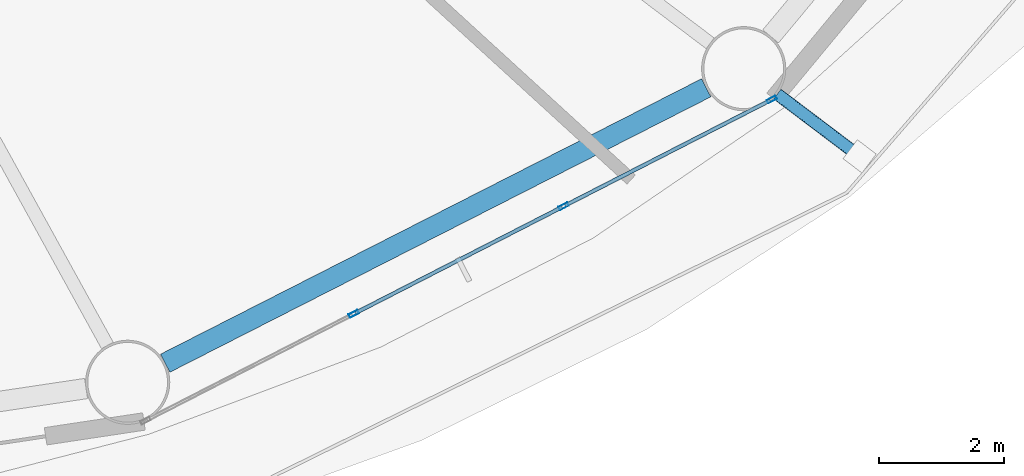
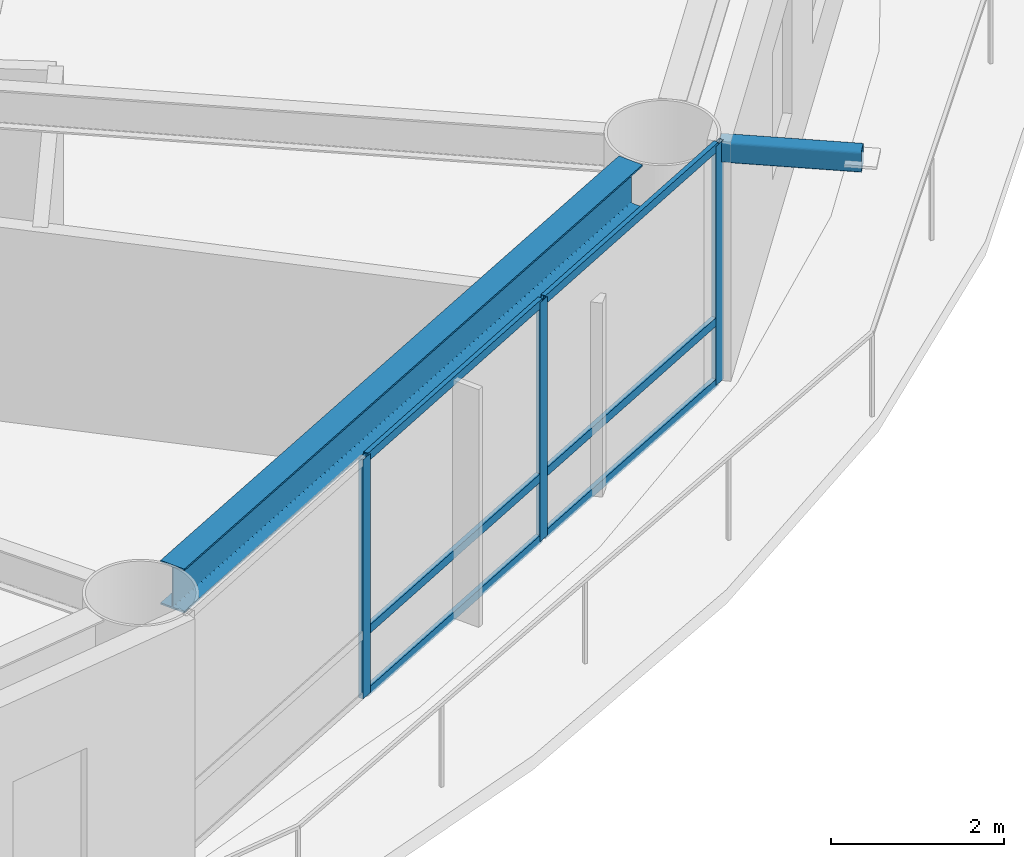
# One storey, part 8 of 26: 10 members, 1 beam, 1 element without a shape of its own.
"""IFC4 building model written with IfcOpenShell, lengths in metres."""

from ifc_helpers import new_model, si_unit, direction, frame, origin, origin_2d, place, context, subcontext, project, spatial, hollow_rectangle, i_section, extrude, material, layer, layer_set, material_profile, profile_set, type_object, element, aggregate, save


model = new_model("IFC4")

# Units and contexts
model_context = context("Model", 3, precision=1e-05, world=origin(), true_north=direction((0.0, 1.0)))
body_context = subcontext(model_context, "Body", "Model", "MODEL_VIEW")
ifc_project = project(units=[si_unit("LENGTHUNIT", "METRE"), si_unit("AREAUNIT", "SQUARE_METRE"), si_unit("VOLUMEUNIT", "CUBIC_METRE"), si_unit("PLANEANGLEUNIT", "RADIAN"), si_unit("MASSUNIT", "GRAM", prefix="KILO")], contexts=[model_context])

# Site, building, storey
site_placement = place(None, origin())
site = spatial("IfcSite", under=ifc_project, at=site_placement, CompositionType="ELEMENT")
building_placement = place(site_placement, origin())
building = spatial("IfcBuilding", under=site, at=building_placement, Name="Sarneth Arch Tower", CompositionType="ELEMENT")
storey_placement = place(building_placement, frame((0.0, 0.0, 60.60009765625)))
storey = spatial("IfcBuildingStorey", under=building, at=storey_placement, Name="L14", CompositionType="ELEMENT", Elevation=60.60009765625)

# Beam
ifc_material_1 = material(Name="Steel S355", Category="steel")
ifc_material_profile_1 = material_profile(ifc_material_1, i_section(OverallWidth=0.326904296875, OverallDepth=0.6220703125, WebThickness=0.015380859375, FlangeThickness=0.0244140625, FilletRadius=0.01904296875, at=origin_2d()), Name="W610x195")
ifc_profile_set_1 = profile_set([ifc_material_profile_1], Name="Steel S355")
beam_type = type_object("IfcBeamType", Name="BM-SPAN-610A", PredefinedType="SPANDREL", material=ifc_profile_set_1)
beam_placement = place(storey_placement, frame((60.41943359375, 20.872314453125, 3.06884765625), z_axis=(0.8911738076, 0.453662037919, 0.0), x_axis=(-0.453662037919, 0.8911738076, 0.0)))
element("IfcBeam", 1, at=beam_placement, inside=storey, type_object=beam_type, Name="L14 Perimeter spandrel beam 14", PredefinedType="SPANDREL", context=body_context, shape_type="SweptSolid", body=[
    extrude(i_section(OverallWidth=0.326904296875, OverallDepth=0.6220703125, WebThickness=0.015380859375, FlangeThickness=0.0244140625, FilletRadius=0.01904296875, at=origin_2d()), origin(), (0.0, 0.0, 1.0), 9.735107421875),
])

# Curtain wall, members
ifc_material_2 = material(Name="Anodised aluminium Type AA25 and solar-control low-e laminated IGU", Category="aluminium")
ifc_layer = layer(ifc_material_2, 0.159912109375)
ifc_layer_set = layer_set([ifc_layer], Name="Anodised aluminium Type AA25 and solar-control low-e laminated IGU")
curtain_wall_type = type_object("IfcCurtainWallType", Name="CW-HOTEL-LOW", PredefinedType="NOTDEFINED", material=ifc_layer_set)
curtain_wall_placement = place(storey_placement, origin())
curtain_wall = element("IfcCurtainWall", 2, at=curtain_wall_placement, inside=storey, type_object=curtain_wall_type, Name="L14 Unitised curtain wall facet 14", PredefinedType="NOTDEFINED")
ifc_material_3 = material(Name="Anodised Aluminium 6063-T6", Category="aluminium")
ifc_material_profile_2 = material_profile(ifc_material_3, hollow_rectangle(XDim=0.06005859375, YDim=0.159912109375, WallThickness=0.00390625, at=origin_2d()), Name="AL-MULL-160x60x4")
ifc_profile_set_2 = profile_set([ifc_material_profile_2], Name="Anodised Aluminium 6063-T6")
member_type_1 = type_object("IfcMemberType", Name="CW-MULLION", PredefinedType="MULLION", material=ifc_profile_set_2)
member_1_placement = place(storey_placement, frame((63.443359375, 21.663330078125, 0.0), z_axis=(0.0, 0.0, 1.0), x_axis=(-0.456245197127, 0.889854100456, 0.0)))
member_1 = element("IfcMember", 3, at=member_1_placement, type_object=member_type_1, Name="CW-SYS-3 mullion 2", PredefinedType="MULLION", context=body_context, shape_type="SweptSolid", body=[
    extrude(hollow_rectangle(XDim=0.06005859375, YDim=0.159912109375, WallThickness=0.00390625, at=origin_2d()), origin(), (0.0, 0.0, 1.0), 3.3798828125),
])
member_2_placement = place(storey_placement, frame((66.80859375, 23.388671875, 0.0), z_axis=(0.0, 0.0, 1.0), x_axis=(-0.456245197127, 0.889854100456, 0.0)))
member_2 = element("IfcMember", 4, at=member_2_placement, type_object=member_type_1, Name="CW-SYS-3 mullion 3", PredefinedType="MULLION", context=body_context, shape_type="SweptSolid", body=[
    extrude(hollow_rectangle(XDim=0.06005859375, YDim=0.159912109375, WallThickness=0.00390625, at=origin_2d()), origin(), (0.0, 0.0, 1.0), 3.3798828125),
])
member_3_placement = place(storey_placement, frame((70.1474609375, 25.1005859375, 0.0), z_axis=(0.0, 0.0, 1.0), x_axis=(-0.456245197127, 0.889854100456, 0.0)))
member_3 = element("IfcMember", 5, at=member_3_placement, type_object=member_type_1, Name="CW-SYS-3 mullion 4", PredefinedType="MULLION", context=body_context, shape_type="SweptSolid", body=[
    extrude(hollow_rectangle(XDim=0.06005859375, YDim=0.159912109375, WallThickness=0.00390625, at=origin_2d()), origin(), (0.0, 0.0, 1.0), 3.3798828125),
])
ifc_material_4 = material(Name="Anodised Aluminium 6063-T6", Category="aluminium")
ifc_material_profile_3 = material_profile(ifc_material_4, hollow_rectangle(XDim=0.06005859375, YDim=0.1201171875, WallThickness=0.00390625, at=origin_2d()), Name="AL-TRAN-120x60x4")
ifc_profile_set_3 = profile_set([ifc_material_profile_3], Name="Anodised Aluminium 6063-T6")
member_type_2 = type_object("IfcMemberType", Name="CW-TRANSOM", PredefinedType="USERDEFINED", material=ifc_profile_set_3)
member_4_placement = place(storey_placement, frame((63.469970703125, 21.677001953125, 0.02978515625), z_axis=(0.889868677022, 0.456216766083, 0.0), x_axis=(-0.456216766083, 0.889868677022, 0.0)))
member_4 = element("IfcMember", 6, at=member_4_placement, type_object=member_type_2, Name="CW-SYS-3 transom 2.1", ObjectType="TRANSOM", PredefinedType="USERDEFINED", context=body_context, shape_type="SweptSolid", body=[
    extrude(hollow_rectangle(XDim=0.06005859375, YDim=0.1201171875, WallThickness=0.00390625, at=origin_2d()), origin(), (0.0, 0.0, 1.0), 3.721923828125),
])
member_5_placement = place(storey_placement, frame((63.469970703125, 21.677001953125, 0.89990234375), z_axis=(0.889868677022, 0.456216766083, 0.0), x_axis=(-0.456216766083, 0.889868677022, 0.0)))
member_5 = element("IfcMember", 7, at=member_5_placement, type_object=member_type_2, Name="CW-SYS-3 transom 2.2", ObjectType="TRANSOM", PredefinedType="USERDEFINED", context=body_context, shape_type="SweptSolid", body=[
    extrude(hollow_rectangle(XDim=0.06005859375, YDim=0.1201171875, WallThickness=0.00390625, at=origin_2d()), origin(), (0.0, 0.0, 1.0), 3.721923828125),
])
member_6_placement = place(storey_placement, frame((63.469970703125, 21.677001953125, 3.349853515625), z_axis=(0.889868677022, 0.456216766083, 0.0), x_axis=(-0.456216766083, 0.889868677022, 0.0)))
member_6 = element("IfcMember", 8, at=member_6_placement, type_object=member_type_2, Name="CW-SYS-3 transom 2.3", ObjectType="TRANSOM", PredefinedType="USERDEFINED", context=body_context, shape_type="SweptSolid", body=[
    extrude(hollow_rectangle(XDim=0.06005859375, YDim=0.1201171875, WallThickness=0.00390625, at=origin_2d()), origin(), (0.0, 0.0, 1.0), 3.721923828125),
])
member_7_placement = place(storey_placement, frame((66.83544921875, 23.402587890625, 0.02978515625), z_axis=(0.889871845224, 0.456210586327, 0.0), x_axis=(-0.456210586327, 0.889871845224, 0.0)))
member_7 = element("IfcMember", 9, at=member_7_placement, type_object=member_type_2, Name="CW-SYS-3 transom 3.1", ObjectType="TRANSOM", PredefinedType="USERDEFINED", context=body_context, shape_type="SweptSolid", body=[
    extrude(hollow_rectangle(XDim=0.06005859375, YDim=0.1201171875, WallThickness=0.00390625, at=origin_2d()), origin(), (0.0, 0.0, 1.0), 3.69189453125),
])
member_8_placement = place(storey_placement, frame((66.83544921875, 23.402587890625, 0.89990234375), z_axis=(0.889871845224, 0.456210586327, 0.0), x_axis=(-0.456210586327, 0.889871845224, 0.0)))
member_8 = element("IfcMember", 10, at=member_8_placement, type_object=member_type_2, Name="CW-SYS-3 transom 3.2", ObjectType="TRANSOM", PredefinedType="USERDEFINED", context=body_context, shape_type="SweptSolid", body=[
    extrude(hollow_rectangle(XDim=0.06005859375, YDim=0.1201171875, WallThickness=0.00390625, at=origin_2d()), origin(), (0.0, 0.0, 1.0), 3.69189453125),
])
member_9_placement = place(storey_placement, frame((66.83544921875, 23.402587890625, 3.349853515625), z_axis=(0.889871845224, 0.456210586327, 0.0), x_axis=(-0.456210586327, 0.889871845224, 0.0)))
member_9 = element("IfcMember", 11, at=member_9_placement, type_object=member_type_2, Name="CW-SYS-3 transom 3.3", ObjectType="TRANSOM", PredefinedType="USERDEFINED", context=body_context, shape_type="SweptSolid", body=[
    extrude(hollow_rectangle(XDim=0.06005859375, YDim=0.1201171875, WallThickness=0.00390625, at=origin_2d()), origin(), (0.0, 0.0, 1.0), 3.69189453125),
])
aggregate(curtain_wall, [member_1, member_2, member_3, member_4, member_5, member_6, member_7, member_8, member_9])

# Member
ifc_material_5 = material(Name="Steel S355", Category="steel")
ifc_material_profile_4 = material_profile(ifc_material_5, hollow_rectangle(XDim=0.199951171875, YDim=0.300048828125, WallThickness=0.012451171875, InnerFilletRadius=0.018798828125, OuterFilletRadius=0.03125, at=origin_2d()), Name="RHS300x200x12.5")
ifc_profile_set_4 = profile_set([ifc_material_profile_4], Name="Steel S355")
member_type_3 = type_object("IfcMemberType", Name="MEM-CANT-STRUT", PredefinedType="STRUT", material=ifc_profile_set_4)
member_10_placement = place(storey_placement, frame((70.235107421875, 25.18798828125, 3.219970703125), z_axis=(0.797623001242, -0.603156321272, 0.0), x_axis=(0.603156321272, 0.797623001242, 0.0)))
element("IfcMember", 12, at=member_10_placement, inside=storey, type_object=member_type_3, Name="L14 Balcony cantilever bracket 15", PredefinedType="STRUT", context=body_context, shape_type="SweptSolid", body=[
    extrude(hollow_rectangle(XDim=0.199951171875, YDim=0.300048828125, WallThickness=0.012451171875, InnerFilletRadius=0.018798828125, OuterFilletRadius=0.03125, at=origin_2d()), origin(), (0.0, 0.0, 1.0), 1.656005859375),
])

save(model, "model.ifc")
